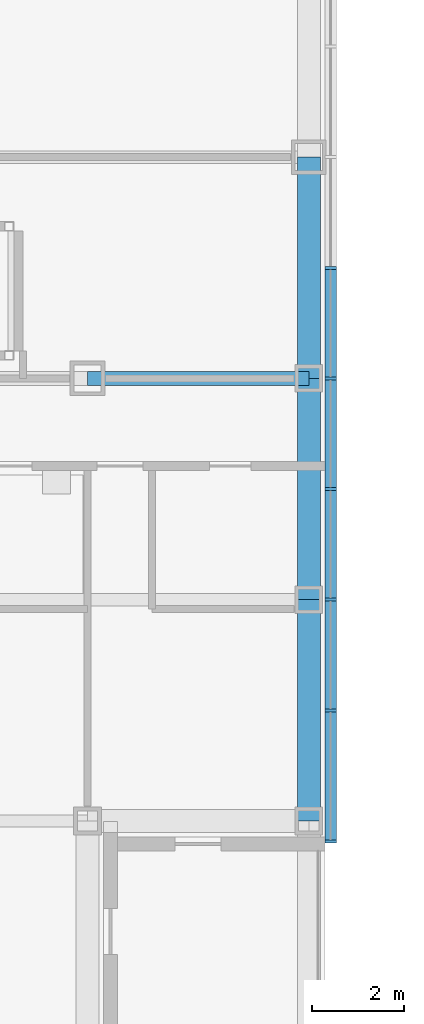
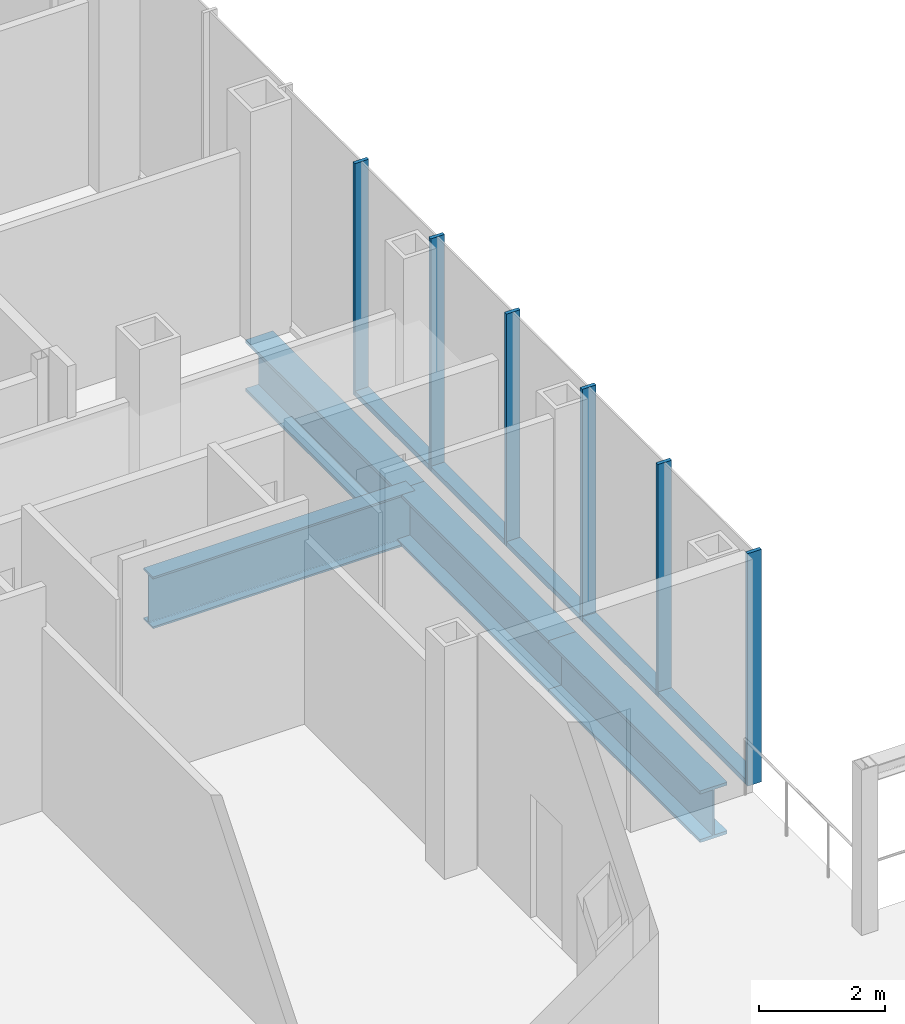
# One storey, part 11 of 24: 11 members, 4 beams, 1 element without a shape of its own.
"""IFC4 building model written with IfcOpenShell, lengths in metres."""

import ifcopenshell
import ifcopenshell.guid

model = None  # the IFC model being written
_history = None  # IfcOwnerHistory: only IFC2X3 demands one
_inside = {}  # id of a spatial element -> (the spatial element, [elements in it])
_under = {}  # id of a project, library or spatial element -> (it, [spatial elements below it])
_declared = {}  # id of a project -> (the project, [libraries it declares])
_typed = {}  # id of a type object -> (the type object, [elements of that type])
_made_of = {}  # id of a material, layer set ... -> (it, [elements and type objects made of it])


def new_model(schema):
    """Start an empty IFC model of exactly this schema.

    Asked for "IFC4X3", IfcOpenShell would pick the latest addendum, in which some entities
    have other attributes; the version numbers below select the first issue.
    IFC2X3 requires an IfcOwnerHistory on every rooted entity: one is made here for all.
    """
    global model, _history
    if schema == "IFC4X3":
        model = ifcopenshell.file(schema_version=(4, 3, 0, 0))
    else:
        model = ifcopenshell.file(schema=schema)
    _inside.clear()
    _under.clear()
    _declared.clear()
    _typed.clear()
    _made_of.clear()
    _history = None
    if model.schema == "IFC2X3":
        org = make("IfcOrganization", Name="unknown")
        user = make(
            "IfcPersonAndOrganization",
            ThePerson=make("IfcPerson", FamilyName="unknown"),
            TheOrganization=org,
        )
        app = make(
            "IfcApplication",
            ApplicationDeveloper=org,
            Version="unknown",
            ApplicationFullName="unknown",
            ApplicationIdentifier="unknown",
        )
        _history = make(
            "IfcOwnerHistory",
            OwningUser=user,
            OwningApplication=app,
            ChangeAction="ADDED",
            CreationDate=0,
        )
    return model


def make(cls, **values):
    """One entity of the class cls with the attributes given. An attribute that is None is left unset."""
    return model.create_entity(
        cls, **{name: value for name, value in values.items() if value is not None}
    )


def rooted(cls, **values):
    """An entity with a GlobalId (a new one), such as an element, a storey or a relation."""
    return make(cls, GlobalId=ifcopenshell.guid.new(), OwnerHistory=_history, **values)


def si_unit(unit_type, name, prefix=None):
    """IfcSIUnit, for example si_unit("LENGTHUNIT", "METRE", prefix="MILLI")."""
    return make("IfcSIUnit", UnitType=unit_type, Prefix=prefix, Name=name)


def assignment(units):
    """IfcUnitAssignment: the units of a project."""
    return None if units is None else make("IfcUnitAssignment", Units=units)


def point(xyz):
    """IfcCartesianPoint."""
    return None if xyz is None else make("IfcCartesianPoint", Coordinates=xyz)


def direction(xyz):
    """IfcDirection."""
    return None if xyz is None else make("IfcDirection", DirectionRatios=xyz)


def frame(location, z_axis=None, x_axis=None):
    """IfcAxis2Placement3D, a coordinate frame: its origin and axes. An axis left out is left unset."""
    return make(
        "IfcAxis2Placement3D",
        Location=point(location),
        Axis=direction(z_axis),
        RefDirection=direction(x_axis),
    )


def frame_2d(location, x_axis=None):
    """IfcAxis2Placement2D, a coordinate frame in the plane: its origin and x axis."""
    return make(
        "IfcAxis2Placement2D", Location=point(location), RefDirection=direction(x_axis)
    )


def origin():
    """The frame at (0, 0, 0) with its axes left unset."""
    return frame((0.0, 0.0, 0.0))


def origin_2d():
    """The frame at (0, 0) in the plane with its x axis left unset."""
    return frame_2d((0.0, 0.0))


def place(relative_to, where):
    """IfcLocalPlacement: puts the frame where relative to a parent placement (None: the world)."""
    return make(
        "IfcLocalPlacement", PlacementRelTo=relative_to, RelativePlacement=where
    )


def context(
    kind, dimensions, precision=None, world=None, true_north=None, identifier=None
):
    """IfcGeometricRepresentationContext, for example the 3D "Model" context."""
    return make(
        "IfcGeometricRepresentationContext",
        ContextIdentifier=identifier,
        ContextType=kind,
        CoordinateSpaceDimension=dimensions,
        Precision=precision,
        WorldCoordinateSystem=world,
        TrueNorth=true_north,
    )


def subcontext(parent, identifier, kind, view, scale=None):
    """IfcGeometricRepresentationSubContext, for example "Body" below "Model"."""
    return make(
        "IfcGeometricRepresentationSubContext",
        ContextIdentifier=identifier,
        ContextType=kind,
        ParentContext=parent,
        TargetScale=scale,
        TargetView=view,
    )


def project(units=None, contexts=None):
    """IfcProject with its units and contexts."""
    return rooted(
        "IfcProject",
        Name="project",
        RepresentationContexts=contexts,
        UnitsInContext=assignment(units),
    )


def spatial(cls, under=None, at=None, **own):
    """A site, building, storey or space (cls), placed at a placement, below another one or the project."""
    s = rooted(cls, ObjectPlacement=at, **own)
    if under is not None:
        _under.setdefault(under.id(), (under, []))[1].append(s)
    return s


def profile(cls, at=None, kind="AREA", **sizes):
    """A parametric profile (cls). Its sizes go by their IFC names, for example OverallWidth=200.0."""
    return make(cls, ProfileType=kind, Position=at, **sizes)


def rectangle(**sizes):
    """IfcRectangleProfileDef."""
    return profile("IfcRectangleProfileDef", **sizes)


def i_section(**sizes):
    """IfcIShapeProfileDef."""
    return profile("IfcIShapeProfileDef", **sizes)


def extrude(swept, where, along, depth):
    """IfcExtrudedAreaSolid: the profile swept, set in the frame where, extruded along a direction by depth."""
    return make(
        "IfcExtrudedAreaSolid",
        SweptArea=swept,
        Position=where,
        ExtrudedDirection=direction(along),
        Depth=depth,
    )


def shape(context_of_items, identifier, shape_type, items):
    """IfcShapeRepresentation: the items that make up one representation, for example the "Body"."""
    return make(
        "IfcShapeRepresentation",
        ContextOfItems=context_of_items,
        RepresentationIdentifier=identifier,
        RepresentationType=shape_type,
        Items=items,
    )


def material(Name=None, Category=None):
    """IfcMaterial."""
    return make("IfcMaterial", Name=Name, Category=Category)


def material_profile(
    of_material, cross_section, Name=None, Category=None, Priority=None
):
    """IfcMaterialProfile: a cross section and its material."""
    return make(
        "IfcMaterialProfile",
        Name=Name,
        Material=of_material,
        Profile=cross_section,
        Priority=Priority,
        Category=Category,
    )


def profile_set(profiles, Name=None, composite=None):
    """IfcMaterialProfileSet."""
    return make(
        "IfcMaterialProfileSet",
        Name=Name,
        MaterialProfiles=profiles,
        CompositeProfile=composite,
    )


def made_of(thing, what):
    """Note that an element or type object is made of a material, layer set ...; save() writes the relation."""
    if what is not None:
        _made_of.setdefault(what.id(), (what, []))[1].append(thing)
    return thing


def type_object(cls, material=None, **own):
    """A type object (cls), such as IfcWallType, which elements share."""
    return made_of(rooted(cls, **own), material)


def element(
    cls,
    number,
    at=None,
    inside=None,
    cuts=None,
    type_object=None,
    material=None,
    context=None,
    identifier="Body",
    shape_type=None,
    held_by="IfcProductDefinitionShape",
    body=None,
    shapes=None,
    **own,
):
    """One element of the class cls, such as IfcWall. Its Tag is "e" and its number.

    at: its placement. inside: the storey or other place that contains it. cuts: it is an
    opening in that element (IfcRelVoidsElement). A single representation is given by context,
    identifier, shape_type and body (its items); several are given by shapes. held_by: the class
    of the entity that holds the representations. save() writes the other relations.
    """
    e = rooted(cls, Tag="e%d" % number, ObjectPlacement=at, **own)
    if body is not None:
        shapes = [shape(context, identifier, shape_type, body)]
    if shapes is not None:
        e.Representation = make(held_by, Representations=shapes)
    if inside is not None:
        _inside.setdefault(inside.id(), (inside, []))[1].append(e)
    if cuts is not None:
        rooted(
            "IfcRelVoidsElement", RelatingBuildingElement=cuts, RelatedOpeningElement=e
        )
    if type_object is not None:
        _typed.setdefault(type_object.id(), (type_object, []))[1].append(e)
    return made_of(e, material)


def aggregate(whole, parts):
    """IfcRelAggregates: a whole, such as a stair, and the parts it consists of."""
    return rooted("IfcRelAggregates", RelatingObject=whole, RelatedObjects=parts)


def save(model, path):
    """Write the relations noted so far, then the file.

    IfcRelAggregates (storeys below a building ...), IfcRelContainedInSpatialStructure (elements
    in a storey), IfcRelDefinesByType, IfcRelAssociatesMaterial and IfcRelDeclares: one each for
    every whole, place, type object, material and project.
    """
    for whole, parts in _under.values():
        aggregate(whole, parts)
    for where, things in _inside.values():
        rooted(
            "IfcRelContainedInSpatialStructure",
            RelatedElements=things,
            RelatingStructure=where,
        )
    for kind, things in _typed.values():
        rooted("IfcRelDefinesByType", RelatedObjects=things, RelatingType=kind)
    for what, things in _made_of.values():
        rooted("IfcRelAssociatesMaterial", RelatedObjects=things, RelatingMaterial=what)
    for by, libraries in _declared.values():
        rooted("IfcRelDeclares", RelatingContext=by, RelatedDefinitions=libraries)
    model.write(path)


model = new_model("IFC4")

# Units and contexts
model_context = context("Model", 3, precision=1e-05, world=origin(), true_north=direction((0.0, 1.0)))
body_context = subcontext(model_context, "Body", "Model", "MODEL_VIEW")
ifc_project = project(units=[si_unit("LENGTHUNIT", "METRE"), si_unit("AREAUNIT", "SQUARE_METRE"), si_unit("VOLUMEUNIT", "CUBIC_METRE"), si_unit("PLANEANGLEUNIT", "RADIAN"), si_unit("MASSUNIT", "GRAM", prefix="KILO")], contexts=[model_context])

# Site, building, storey
site_placement = place(None, origin())
site = spatial("IfcSite", under=ifc_project, at=site_placement, CompositionType="ELEMENT")
building_placement = place(site_placement, origin())
building = spatial("IfcBuilding", under=site, at=building_placement, Name="Kvirike Care Tower", CompositionType="ELEMENT")
storey_placement = place(building_placement, frame((0.0, 0.0, 22.5)))
storey = spatial("IfcBuildingStorey", under=building, at=storey_placement, Name="L05", CompositionType="ELEMENT", Elevation=22.5)

# Curtain wall, members
ifc_material_1 = material(Name="Anodised aluminium stick system", Category="aluminium")
curtain_wall_type = type_object("IfcCurtainWallType", Name="CW-P PODIUM STICK CURTAIN WALL", PredefinedType="NOTDEFINED", material=ifc_material_1)
curtain_wall_placement = place(storey_placement, origin())
curtain_wall = element("IfcCurtainWall", 1, at=curtain_wall_placement, inside=storey, type_object=curtain_wall_type, Name="Curtain wall L05 face 7", PredefinedType="NOTDEFINED")
ifc_material_2 = material(Name="Bronze anodised aluminium mullion", Category="aluminium")
ifc_material_profile_1 = material_profile(ifc_material_2, rectangle(XDim=0.06494140625, YDim=0.25, at=origin_2d()), Name="CW-P MULLION 65x250")
ifc_profile_set_1 = profile_set([ifc_material_profile_1], Name="Bronze anodised aluminium mullion")
member_type_1 = type_object("IfcMemberType", Name="CW-P MULLION 65x250", PredefinedType="MULLION", material=ifc_profile_set_1)
member_1_placement = place(storey_placement, frame((43.675048828125, 18.757568359375, 0.0), z_axis=(0.0, 0.0, 1.0), x_axis=(0.0, 1.0, 0.0)))
member_1 = element("IfcMember", 2, at=member_1_placement, type_object=member_type_1, Name="CW-P mullion L05 face 7.1", PredefinedType="MULLION", context=body_context, shape_type="SweptSolid", body=[
    extrude(rectangle(XDim=0.06494140625, YDim=0.25, at=origin_2d()), origin(), (0.0, 0.0, 1.0), 4.5),
])
member_2_placement = place(storey_placement, frame((43.675048828125, 21.60009765625, 0.0), z_axis=(0.0, 0.0, 1.0), x_axis=(0.0, 1.0, 0.0)))
member_2 = element("IfcMember", 3, at=member_2_placement, type_object=member_type_1, Name="CW-P mullion L05 face 7.2", PredefinedType="MULLION", context=body_context, shape_type="SweptSolid", body=[
    extrude(rectangle(XDim=0.06494140625, YDim=0.25, at=origin_2d()), origin(), (0.0, 0.0, 1.0), 4.5),
])
member_3_placement = place(storey_placement, frame((43.675048828125, 24.0, 0.0), z_axis=(0.0, 0.0, 1.0), x_axis=(0.0, 1.0, 0.0)))
member_3 = element("IfcMember", 4, at=member_3_placement, type_object=member_type_1, Name="CW-P mullion L05 face 7.3", PredefinedType="MULLION", context=body_context, shape_type="SweptSolid", body=[
    extrude(rectangle(XDim=0.06494140625, YDim=0.25, at=origin_2d()), origin(), (0.0, 0.0, 1.0), 4.5),
])
member_4_placement = place(storey_placement, frame((43.675048828125, 26.39990234375, 0.0), z_axis=(0.0, 0.0, 1.0), x_axis=(0.0, 1.0, 0.0)))
member_4 = element("IfcMember", 5, at=member_4_placement, type_object=member_type_1, Name="CW-P mullion L05 face 7.4", PredefinedType="MULLION", context=body_context, shape_type="SweptSolid", body=[
    extrude(rectangle(XDim=0.06494140625, YDim=0.25, at=origin_2d()), origin(), (0.0, 0.0, 1.0), 4.5),
])
member_5_placement = place(storey_placement, frame((43.675048828125, 28.800048828125, 0.0), z_axis=(0.0, 0.0, 1.0), x_axis=(0.0, 1.0, 0.0)))
member_5 = element("IfcMember", 6, at=member_5_placement, type_object=member_type_1, Name="CW-P mullion L05 face 7.5", PredefinedType="MULLION", context=body_context, shape_type="SweptSolid", body=[
    extrude(rectangle(XDim=0.06494140625, YDim=0.25, at=origin_2d()), origin(), (0.0, 0.0, 1.0), 4.5),
])
member_6_placement = place(storey_placement, frame((43.675048828125, 31.199951171875, 0.0), z_axis=(0.0, 0.0, 1.0), x_axis=(0.0, 1.0, 0.0)))
member_6 = element("IfcMember", 7, at=member_6_placement, type_object=member_type_1, Name="CW-P mullion L05 face 7.6", PredefinedType="MULLION", context=body_context, shape_type="SweptSolid", body=[
    extrude(rectangle(XDim=0.06494140625, YDim=0.25, at=origin_2d()), origin(), (0.0, 0.0, 1.0), 4.5),
])
ifc_material_3 = material(Name="Bronze anodised aluminium transom", Category="aluminium")
ifc_material_profile_2 = material_profile(ifc_material_3, rectangle(XDim=0.25, YDim=0.10009765625, at=origin_2d()), Name="CW-P TRANSOM 250x100")
ifc_profile_set_2 = profile_set([ifc_material_profile_2], Name="Bronze anodised aluminium transom")
member_type_2 = type_object("IfcMemberType", Name="CW-P TRANSOM 250x100", PredefinedType="USERDEFINED", material=ifc_profile_set_2)
member_7_placement = place(storey_placement, frame((43.675048828125, 18.7900390625, 0.050048828125), z_axis=(0.0, 1.0, 0.0), x_axis=(-1.0, 0.0, 0.0)))
member_7 = element("IfcMember", 8, at=member_7_placement, type_object=member_type_2, Name="CW-P sill transom L05 face 7.1", ObjectType="TRANSOM", PredefinedType="USERDEFINED", context=body_context, shape_type="SweptSolid", body=[
    extrude(rectangle(XDim=0.25, YDim=0.10009765625, at=origin_2d()), origin(), (0.0, 0.0, 1.0), 2.77734375),
])
member_8_placement = place(storey_placement, frame((43.675048828125, 21.632568359375, 0.050048828125), z_axis=(0.0, 1.0, 0.0), x_axis=(-1.0, 0.0, 0.0)))
member_8 = element("IfcMember", 9, at=member_8_placement, type_object=member_type_2, Name="CW-P sill transom L05 face 7.2", ObjectType="TRANSOM", PredefinedType="USERDEFINED", context=body_context, shape_type="SweptSolid", body=[
    extrude(rectangle(XDim=0.25, YDim=0.10009765625, at=origin_2d()), origin(), (0.0, 0.0, 1.0), 2.3349609375),
])
member_9_placement = place(storey_placement, frame((43.675048828125, 24.032470703125, 0.050048828125), z_axis=(0.0, 1.0, 0.0), x_axis=(-1.0, 0.0, 0.0)))
member_9 = element("IfcMember", 10, at=member_9_placement, type_object=member_type_2, Name="CW-P sill transom L05 face 7.3", ObjectType="TRANSOM", PredefinedType="USERDEFINED", context=body_context, shape_type="SweptSolid", body=[
    extrude(rectangle(XDim=0.25, YDim=0.10009765625, at=origin_2d()), origin(), (0.0, 0.0, 1.0), 2.3349609375),
])
member_10_placement = place(storey_placement, frame((43.675048828125, 26.4326171875, 0.050048828125), z_axis=(0.0, 1.0, 0.0), x_axis=(-1.0, 0.0, 0.0)))
member_10 = element("IfcMember", 11, at=member_10_placement, type_object=member_type_2, Name="CW-P sill transom L05 face 7.4", ObjectType="TRANSOM", PredefinedType="USERDEFINED", context=body_context, shape_type="SweptSolid", body=[
    extrude(rectangle(XDim=0.25, YDim=0.10009765625, at=origin_2d()), origin(), (0.0, 0.0, 1.0), 2.3349609375),
])
member_11_placement = place(storey_placement, frame((43.675048828125, 28.83251953125, 0.050048828125), z_axis=(0.0, 1.0, 0.0), x_axis=(-1.0, 0.0, 0.0)))
member_11 = element("IfcMember", 12, at=member_11_placement, type_object=member_type_2, Name="CW-P sill transom L05 face 7.5", ObjectType="TRANSOM", PredefinedType="USERDEFINED", context=body_context, shape_type="SweptSolid", body=[
    extrude(rectangle(XDim=0.25, YDim=0.10009765625, at=origin_2d()), origin(), (0.0, 0.0, 1.0), 2.3349609375),
])
aggregate(curtain_wall, [member_1, member_2, member_3, member_4, member_5, member_6, member_7, member_8, member_9, member_10, member_11])

# Beams
ifc_material_4 = material(Name="Steel S355", Category="steel")
ifc_material_profile_3 = material_profile(ifc_material_4, i_section(OverallWidth=0.300048828125, OverallDepth=1.0, WebThickness=0.01904296875, FlangeThickness=0.035888671875, FilletRadius=0.030029296875, at=origin_2d()), Name="HE 1000 B")
ifc_profile_set_3 = profile_set([ifc_material_profile_3], Name="Steel S355")
beam_type_1 = type_object("IfcBeamType", Name="FRAME BEAM HE 1000 B", PredefinedType="BEAM", material=ifc_profile_set_3)
beam_placement = place(storey_placement, frame((38.39990234375, 28.800048828125, -0.669921875), z_axis=(1.0, 0.0, 0.0), x_axis=(0.0, 1.0, 0.0)))
element("IfcBeam", 13, at=beam_placement, inside=storey, type_object=beam_type_1, Name="Frame Beam G11-G12 L05", PredefinedType="BEAM", context=body_context, shape_type="SweptSolid", body=[
    extrude(i_section(OverallWidth=0.300048828125, OverallDepth=1.0, WebThickness=0.01904296875, FlangeThickness=0.035888671875, FilletRadius=0.030029296875, at=origin_2d()), origin(), (0.0, 0.0, 1.0), 4.800048828125),
])
ifc_material_5 = material(Name="Steel S355", Category="steel")
ifc_material_profile_4 = material_profile(ifc_material_5, i_section(OverallWidth=0.5, OverallDepth=1.0, WebThickness=0.030029296875, FlangeThickness=0.06005859375, at=origin_2d()), Name="PG 1000x500x30x60")
ifc_profile_set_4 = profile_set([ifc_material_profile_4], Name="Steel S355")
beam_type_2 = type_object("IfcBeamType", Name="SPANDREL PG 1000x500x30x60", PredefinedType="SPANDREL", material=ifc_profile_set_4)
for number, where, z_axis, x_axis, name in (
    (14, (43.199951171875, 19.199951171875, -0.669921875), (0.0, 1.0, 0.0), (-1.0, 0.0, 0.0), "Spandrel E12-F12 L05"),
    (15, (43.199951171875, 24.0, -0.669921875), (0.0, 1.0, 0.0), (-1.0, 0.0, 0.0), "Spandrel F12-G12 L05"),
    (16, (43.199951171875, 28.800048828125, -0.669921875), (0.0, 1.0, 0.0), (-1.0, 0.0, 0.0), "Spandrel G12-H12 L05"),
):
    element("IfcBeam", number, at=place(storey_placement, frame(where, z_axis=z_axis, x_axis=x_axis)), inside=storey, type_object=beam_type_2, Name=name, PredefinedType="SPANDREL", context=body_context, shape_type="SweptSolid", body=[
        extrude(i_section(OverallWidth=0.5, OverallDepth=1.0, WebThickness=0.030029296875, FlangeThickness=0.06005859375, at=origin_2d()), origin(), (0.0, 0.0, 1.0), 4.800048828125),
    ])

save(model, "model.ifc")
